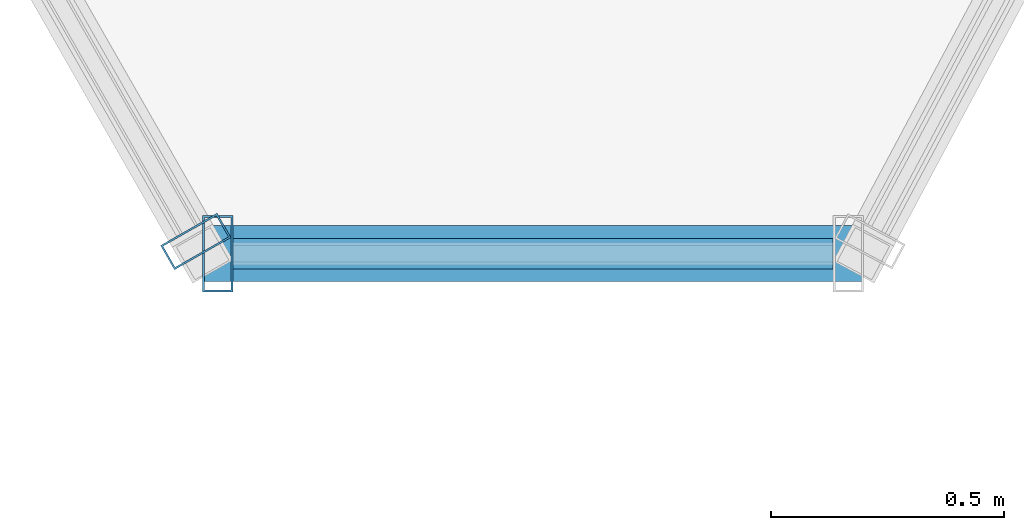
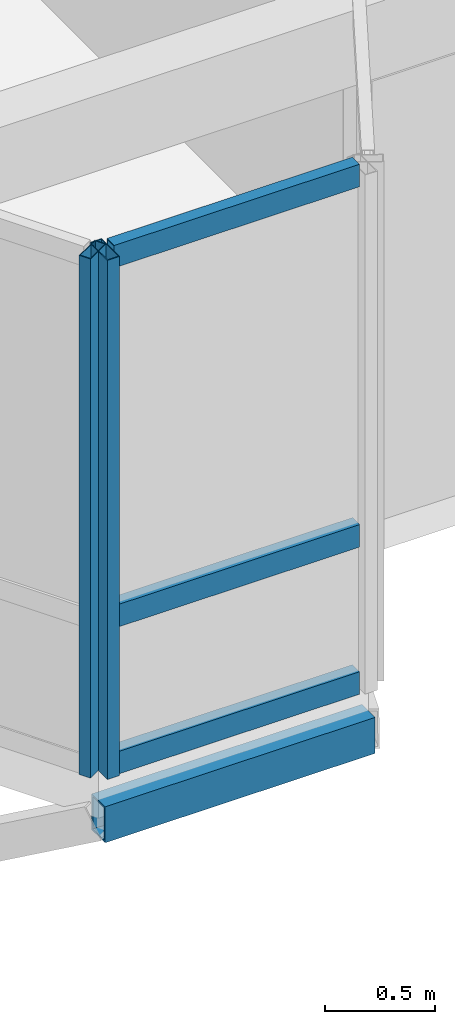
# One storey, part 33 of 77: 6 members, 2 elements without a shape of their own.
"""IFC4 building model written with IfcOpenShell, lengths in metres."""

from ifc_helpers import new_model, si_unit, direction, frame, origin, origin_2d, place, context, subcontext, project, spatial, hollow_rectangle, extrude, material, layer, layer_set, material_profile, profile_set, type_object, element, aggregate, save


model = new_model("IFC4")

# Units and contexts
model_context = context("Model", 3, precision=1e-05, world=origin(), true_north=direction((0.0, 1.0)))
body_context = subcontext(model_context, "Body", "Model", "MODEL_VIEW")
ifc_project = project(units=[si_unit("LENGTHUNIT", "METRE"), si_unit("AREAUNIT", "SQUARE_METRE"), si_unit("VOLUMEUNIT", "CUBIC_METRE"), si_unit("PLANEANGLEUNIT", "RADIAN"), si_unit("MASSUNIT", "GRAM", prefix="KILO"), si_unit("THERMODYNAMICTEMPERATUREUNIT", "KELVIN"), si_unit("POWERUNIT", "WATT")], contexts=[model_context])

# Site, building, storey
site_placement = place(None, origin())
site = spatial("IfcSite", under=ifc_project, at=site_placement, CompositionType="ELEMENT")
building_placement = place(site_placement, origin())
building = spatial("IfcBuilding", under=site, at=building_placement, Name="Tavuni Mirador Residences", CompositionType="ELEMENT")
storey_placement = place(building_placement, frame((0.0, 0.0, 10.800048828125)))
storey = spatial("IfcBuildingStorey", under=building, at=storey_placement, Name="L03", CompositionType="ELEMENT", Elevation=10.800048828125)

# Curtain wall, member
ifc_material_1 = material(Name="Anodised aluminium", Category="aluminium")
ifc_layer_1 = layer(ifc_material_1, 0.175048828125, Name="Anodised aluminium", Category="aluminium")
ifc_layer_set_1 = layer_set([ifc_layer_1], Name="Anodised aluminium")
curtain_wall_type_1 = type_object("IfcCurtainWallType", Name="CWT-MIR-C", PredefinedType="NOTDEFINED", material=ifc_layer_set_1)
curtain_wall_1_placement = place(storey_placement, origin())
curtain_wall_1 = element("IfcCurtainWall", 1, at=curtain_wall_1_placement, inside=storey, type_object=curtain_wall_type_1, Name="CW-MIR-C-S2-L03-M1", PredefinedType="NOTDEFINED")
ifc_material_profile_1 = material_profile(ifc_material_1, hollow_rectangle(XDim=0.06005859375, YDim=0.139892578125, WallThickness=0.00390625, at=origin_2d()), Name="ALU 60x140x4.0", Category="aluminium")
ifc_profile_set_1 = profile_set([ifc_material_profile_1], Name="Anodised aluminium")
member_type_1 = type_object("IfcMemberType", Name="CWM-140", PredefinedType="MULLION", material=ifc_profile_set_1)
member_1_placement = place(storey_placement, frame((33.34521484375, 142.826171875, 0.0), z_axis=(0.0, 0.0, 1.0), x_axis=(0.495749192217, -0.868465738194, 0.0)))
member_1 = element("IfcMember", 2, at=member_1_placement, type_object=member_type_1, Name="CW-03 mullion 2", PredefinedType="MULLION", context=body_context, shape_type="SweptSolid", body=[
    extrude(hollow_rectangle(XDim=0.06005859375, YDim=0.139892578125, WallThickness=0.00390625, at=origin_2d()), origin(), (0.0, 0.0, 1.0), 2.885009765625),
])
aggregate(curtain_wall_1, [member_1])

# Curtain wall, members
ifc_layer_2 = layer(ifc_material_1, 0.159912109375, Name="Anodised aluminium", Category="aluminium")
ifc_layer_set_2 = layer_set([ifc_layer_2], Name="Anodised aluminium")
curtain_wall_type_2 = type_object("IfcCurtainWallType", Name="CWT-MIR-D", PredefinedType="NOTDEFINED", material=ifc_layer_set_2)
curtain_wall_2_placement = place(storey_placement, origin())
curtain_wall_2 = element("IfcCurtainWall", 3, at=curtain_wall_2_placement, inside=storey, type_object=curtain_wall_type_2, Name="CW-MIR-C-S2-L03-MF", PredefinedType="NOTDEFINED")
ifc_material_profile_2 = material_profile(ifc_material_1, hollow_rectangle(XDim=0.06494140625, YDim=0.1650390625, WallThickness=0.00439453125, at=origin_2d()), Name="ALU 65x165x4.5", Category="aluminium")
ifc_profile_set_2 = profile_set([ifc_material_profile_2], Name="Anodised aluminium")
member_type_2 = type_object("IfcMemberType", Name="CWM-165", PredefinedType="MULLION", material=ifc_profile_set_2)
member_2_placement = place(storey_placement, frame((33.392578125, 142.800048828125, 0.0), z_axis=(0.0, 0.0, 1.0), x_axis=(1.0, 0.0, 0.0)))
member_2 = element("IfcMember", 4, at=member_2_placement, type_object=member_type_2, Name="CW-04 mullion 1", PredefinedType="MULLION", context=body_context, shape_type="SweptSolid", body=[
    extrude(hollow_rectangle(XDim=0.06494140625, YDim=0.1650390625, WallThickness=0.00439453125, at=origin_2d()), origin(), (0.0, 0.0, 1.0), 2.885009765625),
])
ifc_material_profile_3 = material_profile(ifc_material_1, hollow_rectangle(XDim=0.06494140625, YDim=0.125, WallThickness=0.00439453125, at=origin_2d()), Name="ALU 65x125x4.5", Category="aluminium")
ifc_profile_set_3 = profile_set([ifc_material_profile_3], Name="Anodised aluminium")
member_type_3 = type_object("IfcMemberType", Name="CWT-125", PredefinedType="USERDEFINED", material=ifc_profile_set_3)
member_3_placement = place(storey_placement, frame((33.425048828125, 142.800048828125, 0.032470703125), z_axis=(1.0, 0.0, 0.0), x_axis=(0.0, 1.0, 0.0)))
member_3 = element("IfcMember", 5, at=member_3_placement, type_object=member_type_3, Name="CW-04 transom 1.1", ObjectType="TRANSOM", PredefinedType="USERDEFINED", context=body_context, shape_type="SweptSolid", body=[
    extrude(hollow_rectangle(XDim=0.06494140625, YDim=0.125, WallThickness=0.00439453125, at=origin_2d()), origin(), (0.0, 0.0, 1.0), 1.2900390625),
])
member_4_placement = place(storey_placement, frame((33.425048828125, 142.800048828125, 0.849853515625), z_axis=(1.0, 0.0, 0.0), x_axis=(0.0, 1.0, 0.0)))
member_4 = element("IfcMember", 6, at=member_4_placement, type_object=member_type_3, Name="CW-04 transom 1.2", ObjectType="TRANSOM", PredefinedType="USERDEFINED", context=body_context, shape_type="SweptSolid", body=[
    extrude(hollow_rectangle(XDim=0.06494140625, YDim=0.125, WallThickness=0.00439453125, at=origin_2d()), origin(), (0.0, 0.0, 1.0), 1.2900390625),
])
member_5_placement = place(storey_placement, frame((33.425048828125, 142.800048828125, 2.8525390625), z_axis=(1.0, 0.0, 0.0), x_axis=(0.0, 1.0, 0.0)))
member_5 = element("IfcMember", 7, at=member_5_placement, type_object=member_type_3, Name="CW-04 transom 1.3", ObjectType="TRANSOM", PredefinedType="USERDEFINED", context=body_context, shape_type="SweptSolid", body=[
    extrude(hollow_rectangle(XDim=0.06494140625, YDim=0.125, WallThickness=0.00439453125, at=origin_2d()), origin(), (0.0, 0.0, 1.0), 1.2900390625),
])
aggregate(curtain_wall_2, [member_2, member_3, member_4, member_5])

# Member
ifc_material_2 = material(Name="Structural steel S355", Category="steel")
ifc_material_profile_4 = material_profile(ifc_material_2, hollow_rectangle(XDim=0.1201171875, YDim=0.199951171875, WallThickness=0.010009765625, at=origin_2d()), Name="RHS 200x120x10.0", Category="steel")
ifc_profile_set_4 = profile_set([ifc_material_profile_4], Name="Structural steel S355")
member_type_4 = type_object("IfcMemberType", Name="MT-ST-RHS200", PredefinedType="STRUT", material=ifc_profile_set_4)
member_6_placement = place(storey_placement, frame((33.360107421875, 142.800048828125, -0.26513671875), z_axis=(1.0, 0.0, 0.0), x_axis=(0.0, 1.0, 0.0)))
element("IfcMember", 8, at=member_6_placement, inside=storey, type_object=member_type_4, Name="MRIM-MIR-C-S2-L03", PredefinedType="STRUT", context=body_context, shape_type="SweptSolid", body=[
    extrude(hollow_rectangle(XDim=0.1201171875, YDim=0.199951171875, WallThickness=0.010009765625, at=origin_2d()), origin(), (0.0, 0.0, 1.0), 1.419921875),
])

save(model, "model.ifc")
